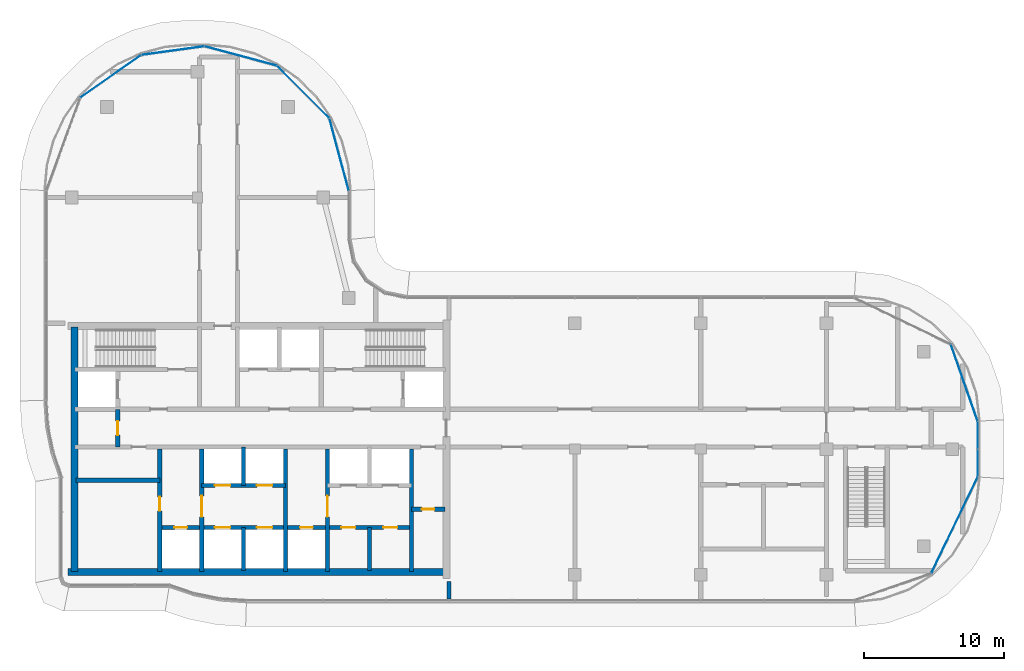
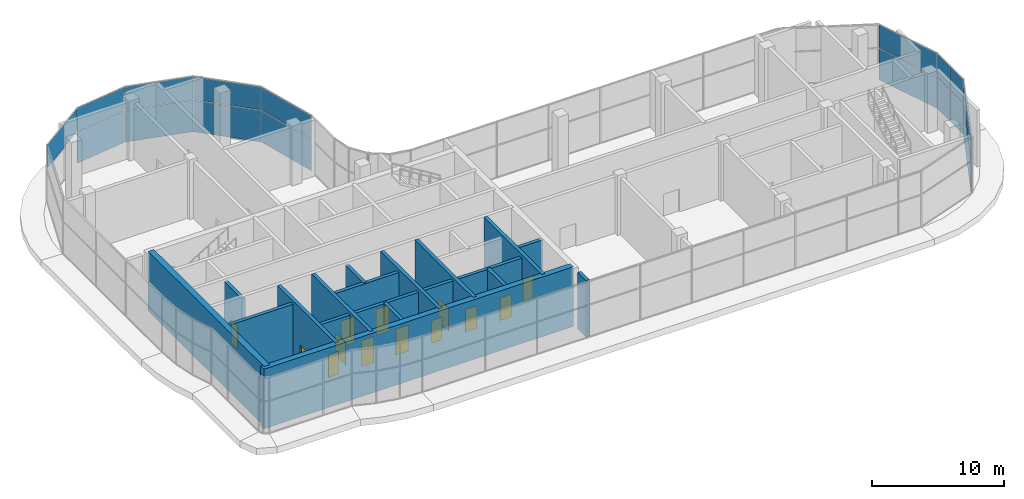
# One storey, part 13 of 23: 17 plates, 16 walls, 13 doors, 13 openings, 4 elements without a shape of their own.
"""IFC4 building model written with IfcOpenShell, lengths in metres."""

from ifc_helpers import new_model, si_unit, direction, frame, frame_2d, origin, origin_2d, place, context, subcontext, project, spatial, rectangle, extrude, material, layer, layer_set, type_object, element, fill, aggregate, save


model = new_model("IFC4")

# Units and contexts
model_context = context("Model", 3, precision=1e-05, world=origin(), true_north=direction((0.0, 1.0)))
body_context = subcontext(model_context, "Body", "Model", "MODEL_VIEW")
ifc_project = project(units=[si_unit("LENGTHUNIT", "METRE"), si_unit("AREAUNIT", "SQUARE_METRE"), si_unit("VOLUMEUNIT", "CUBIC_METRE"), si_unit("PLANEANGLEUNIT", "RADIAN"), si_unit("MASSUNIT", "GRAM", prefix="KILO")], contexts=[model_context])

# Site, building, storey
site_placement = place(None, origin())
site = spatial("IfcSite", under=ifc_project, at=site_placement, CompositionType="ELEMENT")
building_placement = place(site_placement, origin())
building = spatial("IfcBuilding", under=site, at=building_placement, Name="Ogive Portal Towers", CompositionType="ELEMENT")
storey_placement = place(building_placement, frame((0.0, 0.0, 249.39990234375)))
storey = spatial("IfcBuildingStorey", under=building, at=storey_placement, Name="L62", CompositionType="ELEMENT", Elevation=249.39990234375)

# Curtain wall, plates
ifc_material_1 = material(Name="Glass, clear low-iron insulated glazing", Category="glass")
curtain_wall_type = type_object("IfcCurtainWallType", Name="CW OBSERVATION WALL", PredefinedType="NOTDEFINED", material=ifc_material_1)
curtain_wall_1_placement = place(storey_placement, origin())
curtain_wall_1 = element("IfcCurtainWall", 1, at=curtain_wall_1_placement, inside=storey, type_object=curtain_wall_type, Name="A:L62:f10:cw0", PredefinedType="NOTDEFINED")
ifc_layer_1 = layer(ifc_material_1, 0.028076171875)
ifc_layer_set_1 = layer_set([ifc_layer_1], Name="CW PANEL IGU 28")
plate_type = type_object("IfcPlateType", Name="CW PANEL IGU 28", PredefinedType="CURTAIN_PANEL", material=ifc_layer_set_1)
plate_1_placement = place(storey_placement, frame((96.320068359375, 29.509033203125, 0.06005859375), z_axis=(0.0, 0.0, 1.0), x_axis=(0.0, 1.0, 0.0)))
plate_1 = element("IfcPlate", 2, at=plate_1_placement, type_object=plate_type, Name="panel", PredefinedType="CURTAIN_PANEL", context=body_context, shape_type="SweptSolid", body=[
    extrude(rectangle(XDim=1.921630859375, YDim=0.028076171875, at=origin_2d()), origin(), (0.0, 0.0, 1.0), 2.909912109375),
])
plate_2_placement = place(storey_placement, frame((96.320068359375, 29.509033203125, 3.0302734375), z_axis=(0.0, 0.0, 1.0), x_axis=(0.0, 1.0, 0.0)))
plate_2 = element("IfcPlate", 3, at=plate_2_placement, type_object=plate_type, Name="panel", PredefinedType="CURTAIN_PANEL", context=body_context, shape_type="SweptSolid", body=[
    extrude(rectangle(XDim=1.921630859375, YDim=0.028076171875, at=origin_2d()), origin(), (0.0, 0.0, 1.0), 2.110107421875),
])
plate_3_placement = place(storey_placement, frame((96.320068359375, 31.4931640625, 0.06005859375), z_axis=(0.0, 0.0, 1.0), x_axis=(0.0, 1.0, 0.0)))
plate_3 = element("IfcPlate", 4, at=plate_3_placement, type_object=plate_type, Name="panel", PredefinedType="CURTAIN_PANEL", context=body_context, shape_type="SweptSolid", body=[
    extrude(rectangle(XDim=1.926513671875, YDim=0.028076171875, at=origin_2d()), origin(), (0.0, 0.0, 1.0), 2.909912109375),
])
plate_4_placement = place(storey_placement, frame((96.320068359375, 31.4931640625, 3.0302734375), z_axis=(0.0, 0.0, 1.0), x_axis=(0.0, 1.0, 0.0)))
plate_4 = element("IfcPlate", 5, at=plate_4_placement, type_object=plate_type, Name="panel", PredefinedType="CURTAIN_PANEL", context=body_context, shape_type="SweptSolid", body=[
    extrude(rectangle(XDim=1.926513671875, YDim=0.028076171875, at=origin_2d()), origin(), (0.0, 0.0, 1.0), 2.110107421875),
])
aggregate(curtain_wall_1, [plate_1, plate_2, plate_3, plate_4])

curtain_wall_2_placement = place(storey_placement, origin())
curtain_wall_2 = element("IfcCurtainWall", 6, at=curtain_wall_2_placement, inside=storey, type_object=curtain_wall_type, Name="A:L62:f08:cwa", PredefinedType="NOTDEFINED")
plate_5_placement = place(storey_placement, frame((94.65576171875, 25.062255859375, 0.06005859375), z_axis=(0.0, 0.0, 1.0), x_axis=(0.433883739113, 0.900968867905, 0.0)))
plate_5 = element("IfcPlate", 7, at=plate_5_placement, type_object=plate_type, Name="panel", PredefinedType="CURTAIN_PANEL", context=body_context, shape_type="SweptSolid", body=[
    extrude(rectangle(XDim=7.61181640625, YDim=0.028076171875, at=origin_2d()), origin(), (0.0, 0.0, 1.0), 2.909912109375),
])
plate_6_placement = place(storey_placement, frame((94.65576171875, 25.062255859375, 3.0302734375), z_axis=(0.0, 0.0, 1.0), x_axis=(0.433883739113, 0.900968867905, 0.0)))
plate_6 = element("IfcPlate", 8, at=plate_6_placement, type_object=plate_type, Name="panel", PredefinedType="CURTAIN_PANEL", context=body_context, shape_type="SweptSolid", body=[
    extrude(rectangle(XDim=7.61181640625, YDim=0.028076171875, at=origin_2d()), origin(), (0.0, 0.0, 1.0), 2.110107421875),
])
aggregate(curtain_wall_2, [plate_5, plate_6])

curtain_wall_3_placement = place(storey_placement, origin())
curtain_wall_3 = element("IfcCurtainWall", 9, at=curtain_wall_3_placement, inside=storey, type_object=curtain_wall_type, Name="A:L62:f11:cwa", PredefinedType="NOTDEFINED")
plate_7_placement = place(storey_placement, frame((95.35693359375, 35.23876953125, 0.06005859375), z_axis=(0.0, 0.0, 1.0), x_axis=(-0.33027906196, 0.943883330307, 0.0)))
plate_7 = element("IfcPlate", 10, at=plate_7_placement, type_object=plate_type, Name="panel", PredefinedType="CURTAIN_PANEL", context=body_context, shape_type="SweptSolid", body=[
    extrude(rectangle(XDim=5.772216796875, YDim=0.028076171875, at=origin_2d()), origin(), (0.0, 0.0, 1.0), 2.909912109375),
])
plate_8_placement = place(storey_placement, frame((95.35693359375, 35.23876953125, 3.0302734375), z_axis=(0.0, 0.0, 1.0), x_axis=(-0.33027906196, 0.943883330307, 0.0)))
plate_8 = element("IfcPlate", 11, at=plate_8_placement, type_object=plate_type, Name="panel", PredefinedType="CURTAIN_PANEL", context=body_context, shape_type="SweptSolid", body=[
    extrude(rectangle(XDim=5.772216796875, YDim=0.028076171875, at=origin_2d()), origin(), (0.0, 0.0, 1.0), 2.110107421875),
])
aggregate(curtain_wall_3, [plate_7, plate_8])

curtain_wall_4_placement = place(storey_placement, origin())
curtain_wall_4 = element("IfcCurtainWall", 12, at=curtain_wall_4_placement, inside=storey, type_object=curtain_wall_type, Name="A:L62:f19:cwa", PredefinedType="NOTDEFINED")
plate_9_placement = place(storey_placement, frame((50.62744140625, 51.573974609375, 0.06005859375), z_axis=(0.0, 0.0, 1.0), x_axis=(-0.258819045103, 0.965925826289, 0.0)))
plate_9 = element("IfcPlate", 13, at=plate_9_placement, type_object=plate_type, Name="panel", PredefinedType="CURTAIN_PANEL", context=body_context, shape_type="SweptSolid", body=[
    extrude(rectangle(XDim=5.29150390625, YDim=0.028076171875, at=origin_2d()), origin(), (0.0, 0.0, 1.0), 2.909912109375),
])
plate_10_placement = place(storey_placement, frame((50.62744140625, 51.573974609375, 3.0302734375), z_axis=(0.0, 0.0, 1.0), x_axis=(-0.258819045103, 0.965925826289, 0.0)))
plate_10 = element("IfcPlate", 14, at=plate_10_placement, type_object=plate_type, Name="panel", PredefinedType="CURTAIN_PANEL", context=body_context, shape_type="SweptSolid", body=[
    extrude(rectangle(XDim=5.29150390625, YDim=0.028076171875, at=origin_2d()), origin(), (0.0, 0.0, 1.0), 2.110107421875),
])
plate_11_placement = place(storey_placement, frame((48.046875, 56.046875, 0.06005859375), z_axis=(0.0, 0.0, 1.0), x_axis=(-0.707106781187, 0.707106781187, 0.0)))
plate_11 = element("IfcPlate", 15, at=plate_11_placement, type_object=plate_type, Name="panel", PredefinedType="CURTAIN_PANEL", context=body_context, shape_type="SweptSolid", body=[
    extrude(rectangle(XDim=5.280517578125, YDim=0.028076171875, at=origin_2d()), origin(), (0.0, 0.0, 1.0), 2.909912109375),
])
plate_12_placement = place(storey_placement, frame((48.046875, 56.046875, 3.0302734375), z_axis=(0.0, 0.0, 1.0), x_axis=(-0.707106781187, 0.707106781187, 0.0)))
plate_12 = element("IfcPlate", 16, at=plate_12_placement, type_object=plate_type, Name="panel", PredefinedType="CURTAIN_PANEL", context=body_context, shape_type="SweptSolid", body=[
    extrude(rectangle(XDim=5.280517578125, YDim=0.028076171875, at=origin_2d()), origin(), (0.0, 0.0, 1.0), 2.110107421875),
])
plate_13_placement = place(storey_placement, frame((43.57666015625, 58.626708984375, 0.06005859375), z_axis=(0.0, 0.0, 1.0), x_axis=(-0.965925826289, 0.258819045103, 0.0)))
plate_13 = element("IfcPlate", 17, at=plate_13_placement, type_object=plate_type, Name="panel", PredefinedType="CURTAIN_PANEL", context=body_context, shape_type="SweptSolid", body=[
    extrude(rectangle(XDim=5.285888671875, YDim=0.028076171875, at=origin_2d()), origin(), (0.0, 0.0, 1.0), 2.909912109375),
])
plate_14_placement = place(storey_placement, frame((43.57666015625, 58.626708984375, 3.0302734375), z_axis=(0.0, 0.0, 1.0), x_axis=(-0.965925826289, 0.258819045103, 0.0)))
plate_14 = element("IfcPlate", 18, at=plate_14_placement, type_object=plate_type, Name="panel", PredefinedType="CURTAIN_PANEL", context=body_context, shape_type="SweptSolid", body=[
    extrude(rectangle(XDim=5.285888671875, YDim=0.028076171875, at=origin_2d()), origin(), (0.0, 0.0, 1.0), 2.110107421875),
])
plate_15_placement = place(storey_placement, frame((38.73388671875, 59.00732421875, 0.06005859375), z_axis=(0.0, 0.0, 1.0), x_axis=(-0.990660996338, -0.13634804852, 0.0)))
plate_15 = element("IfcPlate", 19, at=plate_15_placement, type_object=plate_type, Name="panel", PredefinedType="CURTAIN_PANEL", context=body_context, shape_type="SweptSolid", body=[
    extrude(rectangle(XDim=4.50439453125, YDim=0.028076171875, at=origin_2d()), origin(), (0.0, 0.0, 1.0), 2.909912109375),
])
plate_16_placement = place(storey_placement, frame((38.73388671875, 59.00732421875, 3.0302734375), z_axis=(0.0, 0.0, 1.0), x_axis=(-0.990660996338, -0.13634804852, 0.0)))
plate_16 = element("IfcPlate", 20, at=plate_16_placement, type_object=plate_type, Name="panel", PredefinedType="CURTAIN_PANEL", context=body_context, shape_type="SweptSolid", body=[
    extrude(rectangle(XDim=4.50439453125, YDim=0.028076171875, at=origin_2d()), origin(), (0.0, 0.0, 1.0), 2.110107421875),
])
plate_17_placement = place(storey_placement, frame((34.286376953125, 57.1650390625, 3.0302734375), z_axis=(0.0, 0.0, 1.0), x_axis=(-0.819152044289, -0.573576436351, 0.0)))
plate_17 = element("IfcPlate", 21, at=plate_17_placement, type_object=plate_type, Name="panel", PredefinedType="CURTAIN_PANEL", context=body_context, shape_type="SweptSolid", body=[
    extrude(rectangle(XDim=5.27880859375, YDim=0.028076171875, at=origin_2d()), origin(), (0.0, 0.0, 1.0), 2.110107421875),
])
aggregate(curtain_wall_4, [plate_9, plate_10, plate_11, plate_12, plate_13, plate_14, plate_15, plate_16, plate_17])

# Wall, opening, door
ifc_material_2 = material(Name="Concrete C60/75", Category="concrete")
ifc_layer_2 = layer(ifc_material_2, 0.300048828125)
ifc_layer_set_2 = layer_set([ifc_layer_2], Name="CORE WALL 300 C60")
wall_type_1 = type_object("IfcWallType", Name="CORE WALL 300 C60", PredefinedType="SHEAR", material=ifc_layer_set_2)
wall_1_placement = place(storey_placement, frame((37.800048828125, 21.75, 0.0), z_axis=(0.0, 0.0, 1.0), x_axis=(0.0, 1.0, 0.0)))
wall_1 = element("IfcWall", 22, at=wall_1_placement, inside=storey, type_object=wall_type_1, Name="Core wall X1 L62", PredefinedType="SHEAR", context=body_context, shape_type="SweptSolid", body=[
    extrude(rectangle(XDim=8.75, YDim=0.300048828125, at=frame_2d((4.375, 0.0))), origin(), (0.0, 0.0, 1.0), 5.5),
])
opening_1_placement = place(wall_1_placement, frame((4.337890625, 0.0, 0.0)))
opening_1 = element("IfcOpeningElement", 23, at=opening_1_placement, cuts=wall_1, Name="Opening D28-025", PredefinedType="OPENING", context=body_context, shape_type="SweptSolid", body=[
    extrude(rectangle(XDim=1.0, YDim=2.10009765625, at=frame_2d((0.5, 1.050048828125))), frame((0.0, 0.16015625, 0.0), z_axis=(0.0, -1.0, 0.0), x_axis=(1.0, 0.0, 0.0)), (0.0, 0.0, 1.0), 0.320068359375),
])
ifc_material_3 = material(Name="Steel fire door", Category="steel")
door_type_1 = type_object("IfcDoorType", Name="DT-SWING-1000x2100-FD90S", OperationType="SINGLE_SWING_LEFT", PredefinedType="DOOR", material=ifc_material_3)
door_1_placement = place(opening_1_placement, origin())
door_1 = element("IfcDoor", 24, at=door_1_placement, inside=storey, type_object=door_type_1, Name="Door D28-025", OperationType="SINGLE_SWING_RIGHT", OverallHeight=2.10009765625, OverallWidth=1.0, PredefinedType="DOOR", context=body_context, shape_type="SweptSolid", body=[
    extrude(rectangle(XDim=1.0, YDim=2.10009765625, at=frame_2d((0.5, 1.050048828125))), frame((0.0, 0.02490234375, 0.0), z_axis=(0.0, -1.0, 0.0), x_axis=(1.0, 0.0, 0.0)), (0.0, 0.0, 1.0), 0.050048828125),
])
fill(opening_1, door_1)

wall_2_placement = place(storey_placement, frame((40.800048828125, 21.75, 0.0), z_axis=(0.0, 0.0, 1.0), x_axis=(0.0, 1.0, 0.0)))
wall_2 = element("IfcWall", 25, at=wall_2_placement, inside=storey, type_object=wall_type_1, Name="Core wall X2 L62", PredefinedType="SHEAR", context=body_context, shape_type="SweptSolid", body=[
    extrude(rectangle(XDim=8.75, YDim=0.300048828125, at=frame_2d((4.375, 0.0))), origin(), (0.0, 0.0, 1.0), 5.5),
])
opening_2_placement = place(wall_2_placement, frame((3.89990234375, 0.0, 0.0)))
opening_2 = element("IfcOpeningElement", 26, at=opening_2_placement, cuts=wall_2, Name="Opening D28-001", PredefinedType="OPENING", context=body_context, shape_type="SweptSolid", body=[
    extrude(rectangle(XDim=1.5, YDim=2.10009765625, at=frame_2d((0.75, 1.050048828125))), frame((0.0, 0.16015625, 0.0), z_axis=(0.0, -1.0, 0.0), x_axis=(1.0, 0.0, 0.0)), (0.0, 0.0, 1.0), 0.320068359375),
])
door_type_2 = type_object("IfcDoorType", Name="DT-SWING-1500x2100-FD90S", OperationType="SINGLE_SWING_LEFT", PredefinedType="DOOR", material=ifc_material_3)
door_2_placement = place(opening_2_placement, origin())
door_2 = element("IfcDoor", 27, at=door_2_placement, inside=storey, type_object=door_type_2, Name="Door D28-001", OperationType="SINGLE_SWING_RIGHT", OverallHeight=2.10009765625, OverallWidth=1.5, PredefinedType="DOOR", context=body_context, shape_type="SweptSolid", body=[
    extrude(rectangle(XDim=1.5, YDim=2.10009765625, at=frame_2d((0.75, 1.050048828125))), frame((0.0, 0.02490234375, 0.0), z_axis=(0.0, -1.0, 0.0), x_axis=(1.0, 0.0, 0.0)), (0.0, 0.0, 1.0), 0.050048828125),
])
fill(opening_2, door_2)

# Wall
wall_3_placement = place(storey_placement, frame((46.800048828125, 21.75, 0.0), z_axis=(0.0, 0.0, 1.0), x_axis=(0.0, 1.0, 0.0)))
element("IfcWall", 28, at=wall_3_placement, inside=storey, type_object=wall_type_1, Name="Core wall X3 L62", PredefinedType="SHEAR", context=body_context, shape_type="SweptSolid", body=[
    extrude(rectangle(XDim=8.75, YDim=0.300048828125, at=frame_2d((4.375, 0.0))), origin(), (0.0, 0.0, 1.0), 5.5),
])

# Wall, opening, door
wall_4_placement = place(storey_placement, frame((49.800048828125, 21.75, 0.0), z_axis=(0.0, 0.0, 1.0), x_axis=(0.0, 1.0, 0.0)))
wall_4 = element("IfcWall", 29, at=wall_4_placement, inside=storey, type_object=wall_type_1, Name="Core wall X4 L62", PredefinedType="SHEAR", context=body_context, shape_type="SweptSolid", body=[
    extrude(rectangle(XDim=8.75, YDim=0.300048828125, at=frame_2d((4.375, 0.0))), origin(), (0.0, 0.0, 1.0), 5.5),
])
opening_3_placement = place(wall_4_placement, frame((3.89990234375, 0.0, 0.0)))
opening_3 = element("IfcOpeningElement", 30, at=opening_3_placement, cuts=wall_4, Name="Opening D28-002", PredefinedType="OPENING", context=body_context, shape_type="SweptSolid", body=[
    extrude(rectangle(XDim=1.5, YDim=2.10009765625, at=frame_2d((0.75, 1.050048828125))), frame((0.0, 0.16015625, 0.0), z_axis=(0.0, -1.0, 0.0), x_axis=(1.0, 0.0, 0.0)), (0.0, 0.0, 1.0), 0.320068359375),
])
door_3_placement = place(opening_3_placement, origin())
door_3 = element("IfcDoor", 31, at=door_3_placement, inside=storey, type_object=door_type_2, Name="Door D28-002", OperationType="SINGLE_SWING_LEFT", OverallHeight=2.10009765625, OverallWidth=1.5, PredefinedType="DOOR", context=body_context, shape_type="SweptSolid", body=[
    extrude(rectangle(XDim=1.5, YDim=2.10009765625, at=frame_2d((0.75, 1.050048828125))), frame((0.0, 0.02490234375, 0.0), z_axis=(0.0, -1.0, 0.0), x_axis=(1.0, 0.0, 0.0)), (0.0, 0.0, 1.0), 0.050048828125),
])
fill(opening_3, door_3)

# Walls
wall_5_placement = place(storey_placement, frame((55.800048828125, 21.75, 0.0), z_axis=(0.0, 0.0, 1.0), x_axis=(0.0, 1.0, 0.0)))
element("IfcWall", 32, at=wall_5_placement, inside=storey, type_object=wall_type_1, Name="Core wall X5 L62", PredefinedType="SHEAR", context=body_context, shape_type="SweptSolid", body=[
    extrude(rectangle(XDim=8.75, YDim=0.300048828125, at=frame_2d((4.375, 0.0))), origin(), (0.0, 0.0, 1.0), 5.5),
])
ifc_layer_3 = layer(ifc_material_2, 0.5)
ifc_layer_set_3 = layer_set([ifc_layer_3], Name="CORE WALL 500 C60")
wall_type_2 = type_object("IfcWallType", Name="CORE WALL 500 C60", PredefinedType="SHEAR", material=ifc_layer_set_3)
wall_6_placement = place(storey_placement, frame((31.699951171875, 21.75, 0.0), z_axis=(0.0, 0.0, 1.0), x_axis=(0.0, 1.0, 0.0)))
element("IfcWall", 33, at=wall_6_placement, inside=storey, type_object=wall_type_2, Name="Core wall W L62", PredefinedType="SHEAR", context=body_context, shape_type="SweptSolid", body=[
    extrude(rectangle(XDim=17.5, YDim=0.5, at=frame_2d((8.75, 0.0))), origin(), (0.0, 0.0, 1.0), 5.5),
])
wall_7_placement = place(storey_placement, frame((31.25, 21.699951171875, 0.0), z_axis=(0.0, 0.0, 1.0), x_axis=(1.0, 0.0, 0.0)))
element("IfcWall", 34, at=wall_7_placement, inside=storey, type_object=wall_type_2, Name="Core wall S L62", PredefinedType="SHEAR", context=body_context, shape_type="SweptSolid", body=[
    extrude(rectangle(XDim=27.0, YDim=0.5, at=frame_2d((13.5, 0.0))), origin(), (0.0, 0.0, 1.0), 5.5),
])

# Wall, opening, door
ifc_material_4 = material(Name="Gypsum board partition on steel studs", Category="steel")
ifc_layer_4 = layer(ifc_material_4, 0.300048828125)
ifc_layer_set_4 = layer_set([ifc_layer_4], Name="WT-PART-300")
wall_type_3 = type_object("IfcWallType", Name="WT-PART-300", PredefinedType="PARTITIONING", material=ifc_layer_set_4)
wall_8_placement = place(storey_placement, frame((55.800048828125, 26.199951171875, 0.0), z_axis=(0.0, 0.0, 1.0), x_axis=(1.0, 0.0, 0.0)))
wall_8 = element("IfcWall", 35, at=wall_8_placement, inside=storey, type_object=wall_type_3, Name="Wall pw:002:L62", PredefinedType="PARTITIONING", context=body_context, shape_type="SweptSolid", body=[
    extrude(rectangle(XDim=2.39990234375, YDim=0.300048828125, at=frame_2d((1.199951171875, 0.0))), origin(), (0.0, 0.0, 1.0), 5.2001953125),
])
opening_4_placement = place(wall_8_placement, frame((0.75, 0.0, 0.0)))
opening_4 = element("IfcOpeningElement", 36, at=opening_4_placement, cuts=wall_8, Name="Opening D28-011", PredefinedType="OPENING", context=body_context, shape_type="SweptSolid", body=[
    extrude(rectangle(XDim=0.89990234375, YDim=2.10009765625, at=frame_2d((0.449951171875, 1.050048828125))), frame((0.0, 0.16015625, 0.0), z_axis=(0.0, -1.0, 0.0), x_axis=(1.0, 0.0, 0.0)), (0.0, 0.0, 1.0), 0.320068359375),
])
door_type_3 = type_object("IfcDoorType", Name="DT-SWING-900x2100-FD60S", OperationType="SINGLE_SWING_LEFT", PredefinedType="DOOR", material=ifc_material_3)
door_4_placement = place(opening_4_placement, origin())
door_4 = element("IfcDoor", 37, at=door_4_placement, inside=storey, type_object=door_type_3, Name="Door D28-011", OperationType="SINGLE_SWING_RIGHT", OverallHeight=2.10009765625, OverallWidth=0.89990234375, PredefinedType="DOOR", context=body_context, shape_type="SweptSolid", body=[
    extrude(rectangle(XDim=0.89990234375, YDim=2.10009765625, at=frame_2d((0.449951171875, 1.050048828125))), frame((0.0, 0.02490234375, 0.0), z_axis=(0.0, -1.0, 0.0), x_axis=(1.0, 0.0, 0.0)), (0.0, 0.0, 1.0), 0.050048828125),
])
fill(opening_4, door_4)

# Walls
wall_9_placement = place(storey_placement, frame((31.800048828125, 28.277099609375, 0.0), z_axis=(0.0, 0.0, 1.0), x_axis=(1.0, 0.0, 0.0)))
element("IfcWall", 38, at=wall_9_placement, inside=storey, type_object=wall_type_3, Name="Wall pw:005:L62", PredefinedType="PARTITIONING", context=body_context, shape_type="SweptSolid", body=[
    extrude(rectangle(XDim=6.0, YDim=0.300048828125, at=frame_2d((3.0, 0.0))), origin(), (0.0, 0.0, 1.0), 5.2001953125),
])
wall_10_placement = place(storey_placement, frame((52.800048828125, 21.800048828125, 0.0), z_axis=(0.0, 0.0, 1.0), x_axis=(0.0, 1.0, 0.0)))
element("IfcWall", 39, at=wall_10_placement, inside=storey, type_object=wall_type_3, Name="Wall pw:010:L62", PredefinedType="PARTITIONING", context=body_context, shape_type="SweptSolid", body=[
    extrude(rectangle(XDim=3.099853515625, YDim=0.300048828125, at=frame_2d((1.5498046875, 0.0))), origin(), (0.0, 0.0, 1.0), 5.2001953125),
])
ifc_layer_5 = layer(ifc_material_4, 0.300048828125)
ifc_layer_set_5 = layer_set([ifc_layer_5], Name="WT-PART-300-EI 60")
wall_type_4 = type_object("IfcWallType", Name="WT-PART-300-EI 60", PredefinedType="PARTITIONING", material=ifc_layer_set_5)
wall_11_placement = place(storey_placement, frame((58.5, 19.77001953125, 0.0), z_axis=(0.0, 0.0, 1.0), x_axis=(0.0, 1.0, 0.0)))
element("IfcWall", 40, at=wall_11_placement, inside=storey, type_object=wall_type_4, Name="Wall L62:w018", PredefinedType="PARTITIONING", context=body_context, shape_type="SweptSolid", body=[
    extrude(rectangle(XDim=1.260009765625, YDim=0.300048828125, at=frame_2d((0.6298828125, 0.0))), origin(), (0.0, 0.0, 1.0), 5.2001953125),
])

# Wall, openings, doors
ifc_material_5 = material(Name="Concrete C40/50", Category="concrete")
ifc_layer_6 = layer(ifc_material_5, 0.300048828125)
ifc_layer_set_6 = layer_set([ifc_layer_6], Name="WT-SHAFT-300")
wall_type_5 = type_object("IfcWallType", Name="WT-SHAFT-300", PredefinedType="SOLIDWALL", material=ifc_layer_set_6)
wall_12_placement = place(storey_placement, frame((37.800048828125, 24.89990234375, 0.0), z_axis=(0.0, 0.0, 1.0), x_axis=(1.0, 0.0, 0.0)))
wall_12 = element("IfcWall", 41, at=wall_12_placement, inside=storey, type_object=wall_type_5, Name="Wall pw:001:L62", PredefinedType="SOLIDWALL", context=body_context, shape_type="SweptSolid", body=[
    extrude(rectangle(XDim=18.0, YDim=0.300048828125, at=frame_2d((9.0, 0.0))), origin(), (0.0, 0.0, 1.0), 5.2001953125),
])
opening_5_placement = place(wall_12_placement, frame((1.050048828125, 0.0, 0.0)))
opening_5 = element("IfcOpeningElement", 42, at=opening_5_placement, cuts=wall_12, Name="Opening D28-008", PredefinedType="OPENING", context=body_context, shape_type="SweptSolid", body=[
    extrude(rectangle(XDim=0.89990234375, YDim=2.10009765625, at=frame_2d((0.449951171875, 1.050048828125))), frame((0.0, 0.16015625, 0.0), z_axis=(0.0, -1.0, 0.0), x_axis=(1.0, 0.0, 0.0)), (0.0, 0.0, 1.0), 0.320068359375),
])
opening_6_placement = place(wall_12_placement, frame((10.050048828125, 0.0, 0.0)))
opening_6 = element("IfcOpeningElement", 43, at=opening_6_placement, cuts=wall_12, Name="Opening D28-009", PredefinedType="OPENING", context=body_context, shape_type="SweptSolid", body=[
    extrude(rectangle(XDim=0.89990234375, YDim=2.10009765625, at=frame_2d((0.449951171875, 1.050048828125))), frame((0.0, 0.16015625, 0.0), z_axis=(0.0, -1.0, 0.0), x_axis=(1.0, 0.0, 0.0)), (0.0, 0.0, 1.0), 0.320068359375),
])
opening_7_placement = place(wall_12_placement, frame((3.949951171875, 0.0, 0.0)))
opening_7 = element("IfcOpeningElement", 44, at=opening_7_placement, cuts=wall_12, Name="Opening D28-014", PredefinedType="OPENING", context=body_context, shape_type="SweptSolid", body=[
    extrude(rectangle(XDim=1.10009765625, YDim=2.39990234375, at=frame_2d((0.550048828125, 1.199951171875))), frame((0.0, 0.16015625, 0.0), z_axis=(0.0, -1.0, 0.0), x_axis=(1.0, 0.0, 0.0)), (0.0, 0.0, 1.0), 0.320068359375),
])
opening_8_placement = place(wall_12_placement, frame((6.949951171875, 0.0, 0.0)))
opening_8 = element("IfcOpeningElement", 45, at=opening_8_placement, cuts=wall_12, Name="Opening D28-015", PredefinedType="OPENING", context=body_context, shape_type="SweptSolid", body=[
    extrude(rectangle(XDim=1.10009765625, YDim=2.39990234375, at=frame_2d((0.550048828125, 1.199951171875))), frame((0.0, 0.16015625, 0.0), z_axis=(0.0, -1.0, 0.0), x_axis=(1.0, 0.0, 0.0)), (0.0, 0.0, 1.0), 0.320068359375),
])
opening_9_placement = place(wall_12_placement, frame((13.0, 0.0, 0.0)))
opening_9 = element("IfcOpeningElement", 46, at=opening_9_placement, cuts=wall_12, Name="Opening D28-026", PredefinedType="OPENING", context=body_context, shape_type="SweptSolid", body=[
    extrude(rectangle(XDim=1.0, YDim=2.10009765625, at=frame_2d((0.5, 1.050048828125))), frame((0.0, 0.16015625, 0.0), z_axis=(0.0, -1.0, 0.0), x_axis=(1.0, 0.0, 0.0)), (0.0, 0.0, 1.0), 0.320068359375),
])
opening_10_placement = place(wall_12_placement, frame((16.0, 0.0, 0.0)))
opening_10 = element("IfcOpeningElement", 47, at=opening_10_placement, cuts=wall_12, Name="Opening D28-027", PredefinedType="OPENING", context=body_context, shape_type="SweptSolid", body=[
    extrude(rectangle(XDim=1.0, YDim=2.10009765625, at=frame_2d((0.5, 1.050048828125))), frame((0.0, 0.16015625, 0.0), z_axis=(0.0, -1.0, 0.0), x_axis=(1.0, 0.0, 0.0)), (0.0, 0.0, 1.0), 0.320068359375),
])
ifc_material_6 = material(Name="Stainless steel", Category="steel")
door_type_4 = type_object("IfcDoorType", Name="DT-LD-1100x2400", OperationType="SLIDING_TO_LEFT", PredefinedType="DOOR", material=ifc_material_6)
door_5_placement = place(opening_7_placement, origin())
door_5 = element("IfcDoor", 48, at=door_5_placement, inside=storey, type_object=door_type_4, Name="Door D28-014", OperationType="SLIDING_TO_LEFT", OverallHeight=2.39990234375, OverallWidth=1.10009765625, PredefinedType="DOOR", context=body_context, shape_type="SweptSolid", body=[
    extrude(rectangle(XDim=1.10009765625, YDim=2.39990234375, at=frame_2d((0.550048828125, 1.199951171875))), frame((0.0, 0.02490234375, 0.0), z_axis=(0.0, -1.0, 0.0), x_axis=(1.0, 0.0, 0.0)), (0.0, 0.0, 1.0), 0.050048828125),
])
fill(opening_7, door_5)
door_6_placement = place(opening_8_placement, origin())
door_6 = element("IfcDoor", 49, at=door_6_placement, inside=storey, type_object=door_type_4, Name="Door D28-015", OperationType="SLIDING_TO_LEFT", OverallHeight=2.39990234375, OverallWidth=1.10009765625, PredefinedType="DOOR", context=body_context, shape_type="SweptSolid", body=[
    extrude(rectangle(XDim=1.10009765625, YDim=2.39990234375, at=frame_2d((0.550048828125, 1.199951171875))), frame((0.0, 0.02490234375, 0.0), z_axis=(0.0, -1.0, 0.0), x_axis=(1.0, 0.0, 0.0)), (0.0, 0.0, 1.0), 0.050048828125),
])
fill(opening_8, door_6)
door_7_placement = place(opening_9_placement, origin())
door_7 = element("IfcDoor", 50, at=door_7_placement, inside=storey, type_object=door_type_1, Name="Door D28-026", OperationType="SINGLE_SWING_LEFT", OverallHeight=2.10009765625, OverallWidth=1.0, PredefinedType="DOOR", context=body_context, shape_type="SweptSolid", body=[
    extrude(rectangle(XDim=1.0, YDim=2.10009765625, at=frame_2d((0.5, 1.050048828125))), frame((0.0, 0.02490234375, 0.0), z_axis=(0.0, -1.0, 0.0), x_axis=(1.0, 0.0, 0.0)), (0.0, 0.0, 1.0), 0.050048828125),
])
fill(opening_9, door_7)
door_8_placement = place(opening_10_placement, origin())
door_8 = element("IfcDoor", 51, at=door_8_placement, inside=storey, type_object=door_type_1, Name="Door D28-027", OperationType="SINGLE_SWING_RIGHT", OverallHeight=2.10009765625, OverallWidth=1.0, PredefinedType="DOOR", context=body_context, shape_type="SweptSolid", body=[
    extrude(rectangle(XDim=1.0, YDim=2.10009765625, at=frame_2d((0.5, 1.050048828125))), frame((0.0, 0.02490234375, 0.0), z_axis=(0.0, -1.0, 0.0), x_axis=(1.0, 0.0, 0.0)), (0.0, 0.0, 1.0), 0.050048828125),
])
fill(opening_10, door_8)
door_type_5 = type_object("IfcDoorType", Name="DT-SWING-900x2100-FD90S", OperationType="SINGLE_SWING_LEFT", PredefinedType="DOOR", material=ifc_material_3)
door_9_placement = place(opening_5_placement, origin())
door_9 = element("IfcDoor", 52, at=door_9_placement, inside=storey, type_object=door_type_5, Name="Riser access door D28-008", OperationType="SINGLE_SWING_LEFT", OverallHeight=2.10009765625, OverallWidth=0.89990234375, PredefinedType="DOOR", context=body_context, shape_type="SweptSolid", body=[
    extrude(rectangle(XDim=0.89990234375, YDim=2.10009765625, at=frame_2d((0.449951171875, 1.050048828125))), frame((0.0, 0.02490234375, 0.0), z_axis=(0.0, -1.0, 0.0), x_axis=(1.0, 0.0, 0.0)), (0.0, 0.0, 1.0), 0.050048828125),
])
fill(opening_5, door_9)
door_10_placement = place(opening_6_placement, origin())
door_10 = element("IfcDoor", 53, at=door_10_placement, inside=storey, type_object=door_type_5, Name="Riser access door D28-009", OperationType="SINGLE_SWING_RIGHT", OverallHeight=2.10009765625, OverallWidth=0.89990234375, PredefinedType="DOOR", context=body_context, shape_type="SweptSolid", body=[
    extrude(rectangle(XDim=0.89990234375, YDim=2.10009765625, at=frame_2d((0.449951171875, 1.050048828125))), frame((0.0, 0.02490234375, 0.0), z_axis=(0.0, -1.0, 0.0), x_axis=(1.0, 0.0, 0.0)), (0.0, 0.0, 1.0), 0.050048828125),
])
fill(opening_6, door_10)

wall_13_placement = place(storey_placement, frame((40.800048828125, 27.89990234375, 0.0), z_axis=(0.0, 0.0, 1.0), x_axis=(1.0, 0.0, 0.0)))
wall_13 = element("IfcWall", 54, at=wall_13_placement, inside=storey, type_object=wall_type_5, Name="Wall pw:003:L62", PredefinedType="SOLIDWALL", context=body_context, shape_type="SweptSolid", body=[
    extrude(rectangle(XDim=6.0, YDim=0.300048828125, at=frame_2d((3.0, 0.0))), origin(), (0.0, 0.0, 1.0), 5.2001953125),
])
opening_11_placement = place(wall_13_placement, frame((0.949951171875, 0.0, 0.0)))
opening_11 = element("IfcOpeningElement", 55, at=opening_11_placement, cuts=wall_13, Name="Opening D28-016", PredefinedType="OPENING", context=body_context, shape_type="SweptSolid", body=[
    extrude(rectangle(XDim=1.10009765625, YDim=2.39990234375, at=frame_2d((0.550048828125, 1.199951171875))), frame((0.0, 0.16015625, 0.0), z_axis=(0.0, -1.0, 0.0), x_axis=(1.0, 0.0, 0.0)), (0.0, 0.0, 1.0), 0.320068359375),
])
opening_12_placement = place(wall_13_placement, frame((3.949951171875, 0.0, 0.0)))
opening_12 = element("IfcOpeningElement", 56, at=opening_12_placement, cuts=wall_13, Name="Opening D28-017", PredefinedType="OPENING", context=body_context, shape_type="SweptSolid", body=[
    extrude(rectangle(XDim=1.10009765625, YDim=2.39990234375, at=frame_2d((0.550048828125, 1.199951171875))), frame((0.0, 0.16015625, 0.0), z_axis=(0.0, -1.0, 0.0), x_axis=(1.0, 0.0, 0.0)), (0.0, 0.0, 1.0), 0.320068359375),
])
door_11_placement = place(opening_11_placement, origin())
door_11 = element("IfcDoor", 57, at=door_11_placement, inside=storey, type_object=door_type_4, Name="Door D28-016", OperationType="SLIDING_TO_LEFT", OverallHeight=2.39990234375, OverallWidth=1.10009765625, PredefinedType="DOOR", context=body_context, shape_type="SweptSolid", body=[
    extrude(rectangle(XDim=1.10009765625, YDim=2.39990234375, at=frame_2d((0.550048828125, 1.199951171875))), frame((0.0, 0.02490234375, 0.0), z_axis=(0.0, -1.0, 0.0), x_axis=(1.0, 0.0, 0.0)), (0.0, 0.0, 1.0), 0.050048828125),
])
fill(opening_11, door_11)
door_12_placement = place(opening_12_placement, origin())
door_12 = element("IfcDoor", 58, at=door_12_placement, inside=storey, type_object=door_type_4, Name="Door D28-017", OperationType="SLIDING_TO_LEFT", OverallHeight=2.39990234375, OverallWidth=1.10009765625, PredefinedType="DOOR", context=body_context, shape_type="SweptSolid", body=[
    extrude(rectangle(XDim=1.10009765625, YDim=2.39990234375, at=frame_2d((0.550048828125, 1.199951171875))), frame((0.0, 0.02490234375, 0.0), z_axis=(0.0, -1.0, 0.0), x_axis=(1.0, 0.0, 0.0)), (0.0, 0.0, 1.0), 0.050048828125),
])
fill(opening_12, door_12)

# Wall, opening, door
wall_14_placement = place(storey_placement, frame((34.800048828125, 30.64990234375, 0.0), z_axis=(0.0, 0.0, 1.0), x_axis=(0.0, 1.0, 0.0)))
wall_14 = element("IfcWall", 59, at=wall_14_placement, inside=storey, type_object=wall_type_5, Name="Wall pw:006:L62", PredefinedType="SOLIDWALL", context=body_context, shape_type="SweptSolid", body=[
    extrude(rectangle(XDim=2.7001953125, YDim=0.300048828125, at=frame_2d((1.35009765625, 0.0))), origin(), (0.0, 0.0, 1.0), 5.2001953125),
])
opening_13_placement = place(wall_14_placement, frame((0.85009765625, 0.0, 0.0)))
opening_13 = element("IfcOpeningElement", 60, at=opening_13_placement, cuts=wall_14, Name="Opening D28-028", PredefinedType="OPENING", context=body_context, shape_type="SweptSolid", body=[
    extrude(rectangle(XDim=1.0, YDim=2.10009765625, at=frame_2d((0.5, 1.050048828125))), frame((0.0, 0.16015625, 0.0), z_axis=(0.0, -1.0, 0.0), x_axis=(1.0, 0.0, 0.0)), (0.0, 0.0, 1.0), 0.320068359375),
])
door_13_placement = place(opening_13_placement, origin())
door_13 = element("IfcDoor", 61, at=door_13_placement, inside=storey, type_object=door_type_1, Name="Door D28-028", OperationType="SINGLE_SWING_LEFT", OverallHeight=2.10009765625, OverallWidth=1.0, PredefinedType="DOOR", context=body_context, shape_type="SweptSolid", body=[
    extrude(rectangle(XDim=1.0, YDim=2.10009765625, at=frame_2d((0.5, 1.050048828125))), frame((0.0, 0.02490234375, 0.0), z_axis=(0.0, -1.0, 0.0), x_axis=(1.0, 0.0, 0.0)), (0.0, 0.0, 1.0), 0.050048828125),
])
fill(opening_13, door_13)

# Walls
wall_15_placement = place(storey_placement, frame((43.800048828125, 21.800048828125, 0.0), z_axis=(0.0, 0.0, 1.0), x_axis=(0.0, 1.0, 0.0)))
element("IfcWall", 62, at=wall_15_placement, inside=storey, type_object=wall_type_5, Name="Wall pw:007:L62", PredefinedType="SOLIDWALL", context=body_context, shape_type="SweptSolid", body=[
    extrude(rectangle(XDim=3.099853515625, YDim=0.300048828125, at=frame_2d((1.5498046875, 0.0))), origin(), (0.0, 0.0, 1.0), 5.2001953125),
])
wall_16_placement = place(storey_placement, frame((43.800048828125, 27.89990234375, 0.0), z_axis=(0.0, 0.0, 1.0), x_axis=(0.0, 1.0, 0.0)))
element("IfcWall", 63, at=wall_16_placement, inside=storey, type_object=wall_type_5, Name="Wall pw:008:L62", PredefinedType="SOLIDWALL", context=body_context, shape_type="SweptSolid", body=[
    extrude(rectangle(XDim=2.75, YDim=0.300048828125, at=frame_2d((1.375, 0.0))), origin(), (0.0, 0.0, 1.0), 5.2001953125),
])

save(model, "model.ifc")
